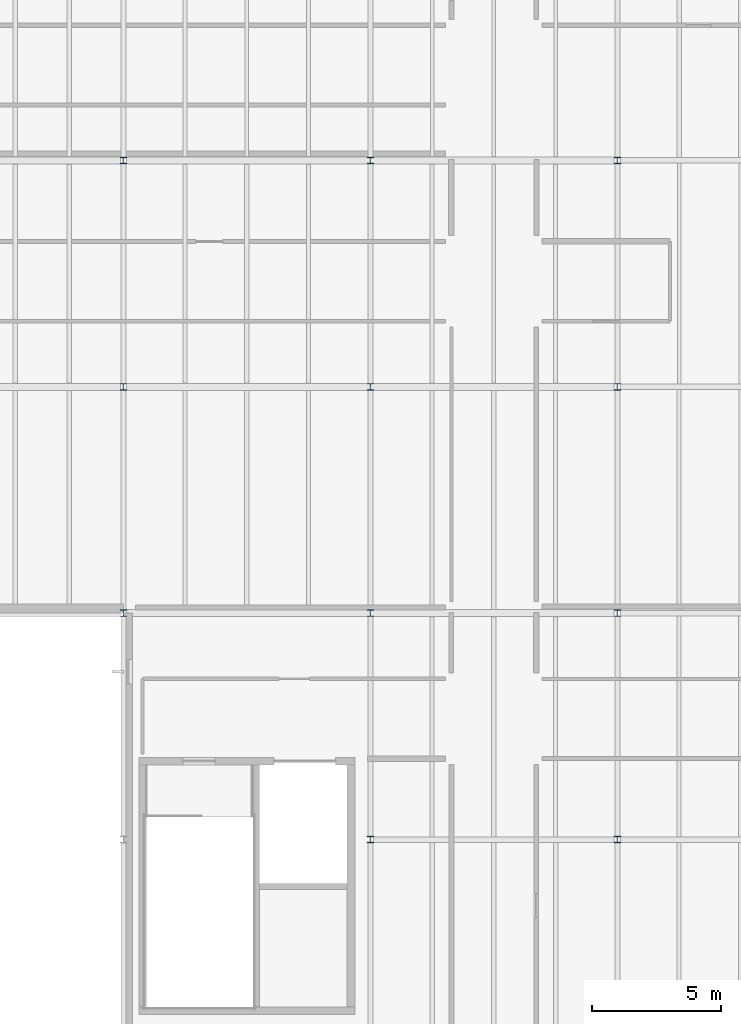
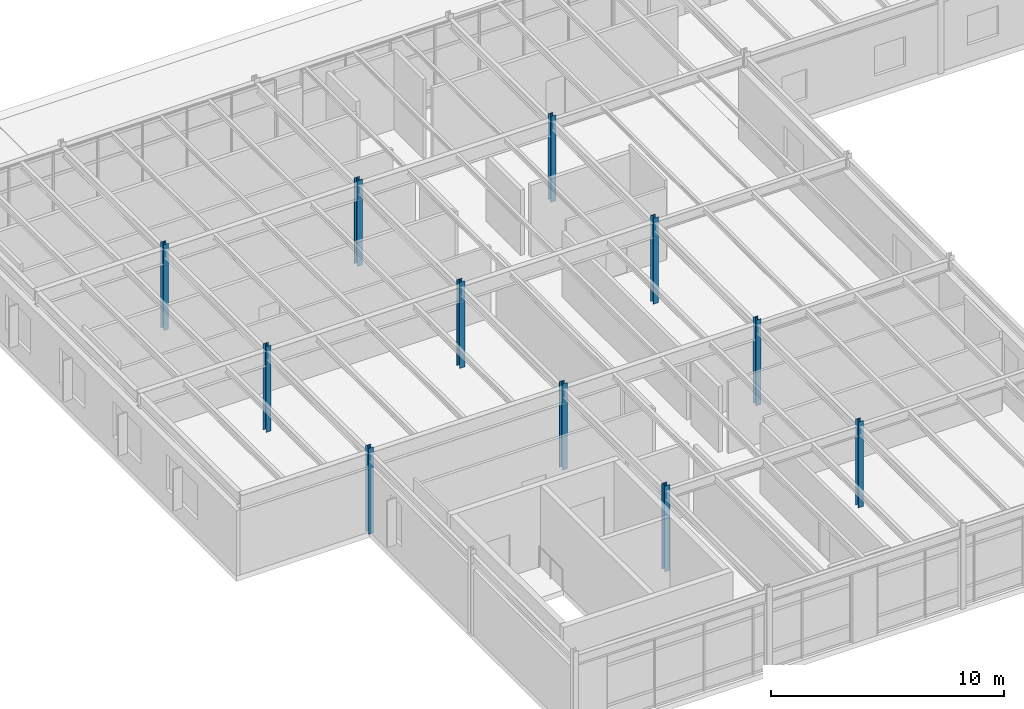
# One storey, part 2 of 69: 11 columns.
"""IFC4 building model written with IfcOpenShell, lengths in metres."""

from ifc_helpers import new_model, si_unit, direction, frame, origin, origin_2d, place, context, subcontext, project, spatial, i_section, extrude, material, material_profile, profile_set, type_object, element, save


model = new_model("IFC4")

# Units and contexts
model_context = context("Model", 3, precision=1e-05, world=origin(), true_north=direction((0.0, 1.0)))
body_context = subcontext(model_context, "Body", "Model", "MODEL_VIEW")
ifc_project = project(units=[si_unit("LENGTHUNIT", "METRE"), si_unit("AREAUNIT", "SQUARE_METRE"), si_unit("VOLUMEUNIT", "CUBIC_METRE"), si_unit("PLANEANGLEUNIT", "RADIAN"), si_unit("MASSUNIT", "GRAM", prefix="KILO")], contexts=[model_context])

# Site, building, storey
site_placement = place(None, origin())
site = spatial("IfcSite", under=ifc_project, at=site_placement, CompositionType="ELEMENT")
building_placement = place(site_placement, origin())
building = spatial("IfcBuilding", under=site, at=building_placement, Name="Sarnbrook Museum", CompositionType="ELEMENT")
storey_placement = place(building_placement, frame((0.0, 0.0, 14.60009765625)))
storey = spatial("IfcBuildingStorey", under=building, at=storey_placement, Name="L03", CompositionType="ELEMENT", Elevation=14.60009765625)

# Columns
ifc_material = material(Name="Structural Steel Grade 300PLUS (AS/NZS 3679.1, fy = 280 MPa for 17 < t <= 40 mm, 300 MPa for t <= 17 mm)", Category="steel")
ifc_material_profile = material_profile(ifc_material, i_section(OverallWidth=0.25390625, OverallDepth=0.25390625, WebThickness=0.008544921875, FlangeThickness=0.01416015625, FilletRadius=0.0126953125, at=origin_2d()), Name="250UC72.9")
ifc_profile_set = profile_set([ifc_material_profile], Name="Structural Steel Grade 300PLUS (AS/NZS 3679.1, fy = 280 MPa for 17 < t <= 40 mm, 300 MPa for t <= 17 mm)")
column_type = type_object("IfcColumnType", Name="COL-UC250", PredefinedType="COLUMN", material=ifc_profile_set)
for number, where, z_axis, x_axis, name in (
    (1, (13.60009765625, 56.800048828125, 0.0), (0.0, 0.0, 1.0), (1.0, 0.0, 0.0), "Column 2-G L03"),
    (2, (13.60009765625, 65.60009765625, 0.0), (0.0, 0.0, 1.0), (1.0, 0.0, 0.0), "Column 2-H L03"),
    (3, (13.60009765625, 74.39990234375, 0.0), (0.0, 0.0, 1.0), (1.0, 0.0, 0.0), "Column 2-J L03"),
    (4, (23.199951171875, 48.0, 0.0), (0.0, 0.0, 1.0), (1.0, 0.0, 0.0), "Column 3-F L03"),
    (5, (23.199951171875, 56.800048828125, 0.0), (0.0, 0.0, 1.0), (1.0, 0.0, 0.0), "Column 3-G L03"),
    (6, (23.199951171875, 65.60009765625, 0.0), (0.0, 0.0, 1.0), (1.0, 0.0, 0.0), "Column 3-H L03"),
    (7, (23.199951171875, 74.39990234375, 0.0), (0.0, 0.0, 1.0), (1.0, 0.0, 0.0), "Column 3-J L03"),
    (8, (32.800048828125, 48.0, 0.0), (0.0, 0.0, 1.0), (1.0, 0.0, 0.0), "Column 4-F L03"),
    (9, (32.800048828125, 56.800048828125, 0.0), (0.0, 0.0, 1.0), (1.0, 0.0, 0.0), "Column 4-G L03"),
    (10, (32.800048828125, 65.60009765625, 0.0), (0.0, 0.0, 1.0), (1.0, 0.0, 0.0), "Column 4-H L03"),
    (11, (32.800048828125, 74.39990234375, 0.0), (0.0, 0.0, 1.0), (1.0, 0.0, 0.0), "Column 4-J L03"),
):
    element("IfcColumn", number, at=place(storey_placement, frame(where, z_axis=z_axis, x_axis=x_axis)), inside=storey, type_object=column_type, Name=name, PredefinedType="COLUMN", context=body_context, shape_type="SweptSolid", body=[
        extrude(i_section(OverallWidth=0.25390625, OverallDepth=0.25390625, WebThickness=0.008544921875, FlangeThickness=0.01416015625, FilletRadius=0.0126953125, at=origin_2d()), origin(), (0.0, 0.0, 1.0), 4.5),
    ])

save(model, "model.ifc")
